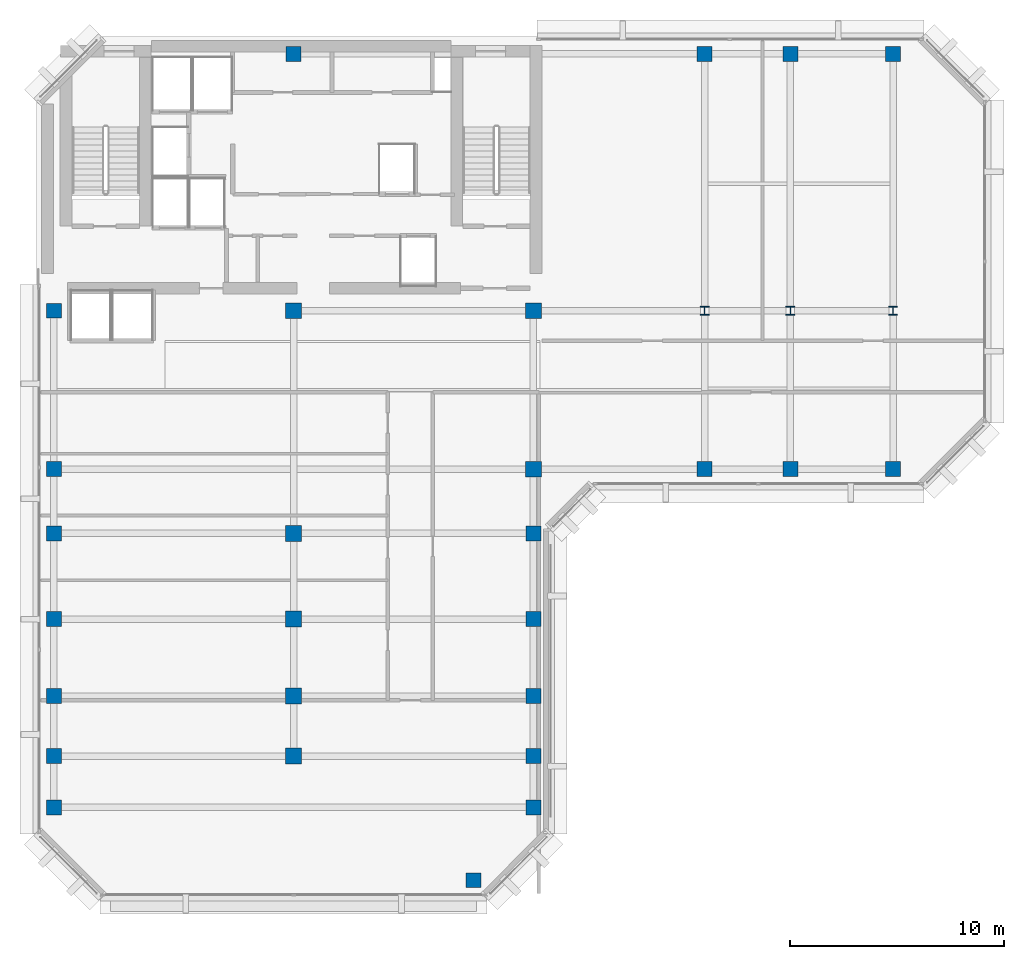
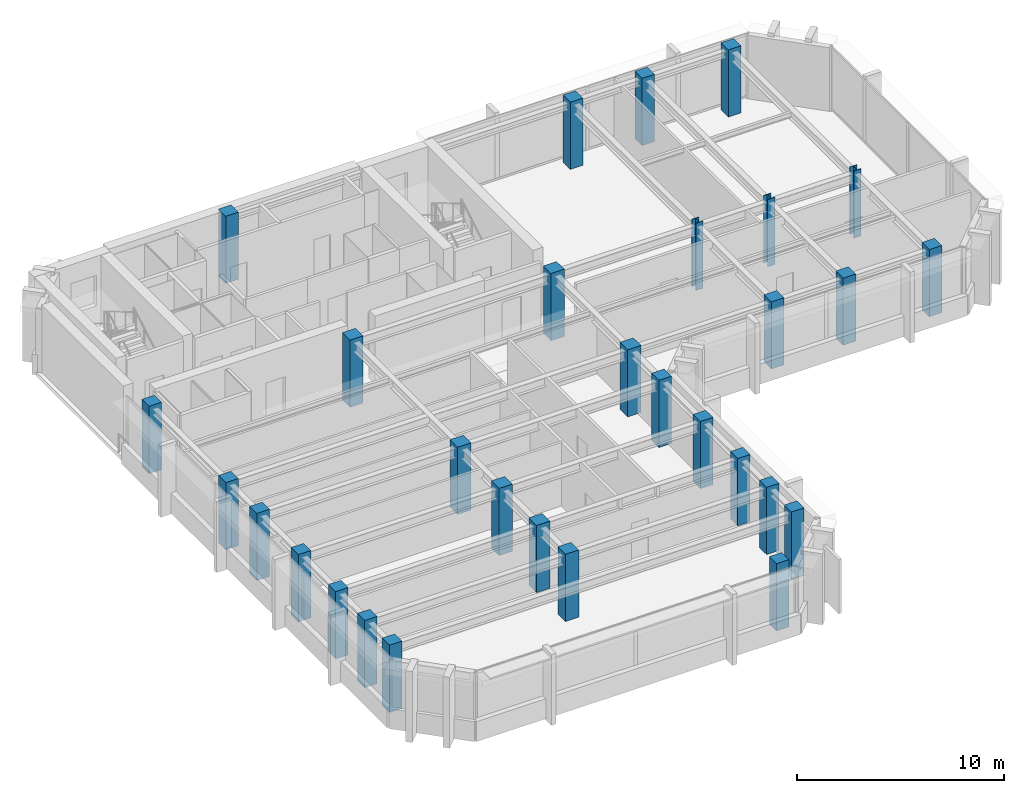
# One storey, part 1 of 11: 30 columns.
"""IFC4 building model written with IfcOpenShell, lengths in metres."""

from ifc_helpers import new_model, si_unit, direction, frame, origin, origin_2d, place, context, subcontext, project, spatial, rectangle, i_section, extrude, material, material_profile, profile_set, type_object, element, save


model = new_model("IFC4")

# Units and contexts
model_context = context("Model", 3, precision=1e-05, world=origin(), true_north=direction((0.0, 1.0)))
body_context = subcontext(model_context, "Body", "Model", "MODEL_VIEW")
ifc_project = project(units=[si_unit("LENGTHUNIT", "METRE"), si_unit("AREAUNIT", "SQUARE_METRE"), si_unit("VOLUMEUNIT", "CUBIC_METRE"), si_unit("PLANEANGLEUNIT", "RADIAN"), si_unit("MASSUNIT", "GRAM", prefix="KILO")], contexts=[model_context])

# Site, building, storey
site_placement = place(None, origin())
site = spatial("IfcSite", under=ifc_project, at=site_placement, CompositionType="ELEMENT")
building_placement = place(site_placement, origin())
building = spatial("IfcBuilding", under=site, at=building_placement, Name="Kefirva Bronze Tower", CompositionType="ELEMENT")
storey_placement = place(building_placement, frame((0.0, 0.0, 276.2099609375)))
storey = spatial("IfcBuildingStorey", under=building, at=storey_placement, Name="L67", CompositionType="ELEMENT", Elevation=276.2099609375)

# Columns
ifc_material_1 = material(Name="Concrete C50/60", Category="concrete")
ifc_material_profile_1 = material_profile(ifc_material_1, rectangle(XDim=0.699951171875, YDim=0.699951171875, at=origin_2d()), Name="RC 700x700")
ifc_profile_set_1 = profile_set([ifc_material_profile_1], Name="Concrete C50/60")
column_type_1 = type_object("IfcColumnType", Name="RC Column 700x700 Ext", PredefinedType="COLUMN", material=ifc_profile_set_1)
for number, where, z_axis, x_axis, name in (
    (1, (0.800048828125, 10.0, 0.0), (0.0, 0.0, 1.0), (1.0, 0.0, 0.0), "L67 Column C008_100"),
    (2, (0.800048828125, 12.39990234375, 0.0), (0.0, 0.0, 1.0), (1.0, 0.0, 0.0), "L67 Column C008_124"),
    (3, (0.800048828125, 15.199951171875, 0.0), (0.0, 0.0, 1.0), (1.0, 0.0, 0.0), "L67 Column C008_152"),
    (4, (0.800048828125, 18.800048828125, 0.0), (0.0, 0.0, 1.0), (1.0, 0.0, 0.0), "L67 Column C008_188"),
    (5, (0.800048828125, 22.800048828125, 0.0), (0.0, 0.0, 1.0), (1.0, 0.0, 0.0), "L67 Column C008_228"),
    (6, (0.800048828125, 25.800048828125, 0.0), (0.0, 0.0, 1.0), (1.0, 0.0, 0.0), "L67 Column C008_258"),
    (7, (0.800048828125, 33.199951171875, 0.0), (0.0, 0.0, 1.0), (1.0, 0.0, 0.0), "L67 Column C008_332"),
    (8, (12.0, 45.199951171875, 0.0), (0.0, 0.0, 1.0), (1.0, 0.0, 0.0), "L67 Column C120_452"),
    (9, (20.39990234375, 6.60009765625, 0.0), (0.0, 0.0, 1.0), (1.0, 0.0, 0.0), "L67 Column C204_066"),
    (10, (23.199951171875, 10.0, 0.0), (0.0, 0.0, 1.0), (1.0, 0.0, 0.0), "L67 Column C232_100"),
    (11, (23.199951171875, 12.39990234375, 0.0), (0.0, 0.0, 1.0), (1.0, 0.0, 0.0), "L67 Column C232_124"),
    (12, (23.199951171875, 15.199951171875, 0.0), (0.0, 0.0, 1.0), (1.0, 0.0, 0.0), "L67 Column C232_152"),
    (13, (23.199951171875, 18.800048828125, 0.0), (0.0, 0.0, 1.0), (1.0, 0.0, 0.0), "L67 Column C232_188"),
    (14, (23.199951171875, 22.800048828125, 0.0), (0.0, 0.0, 1.0), (1.0, 0.0, 0.0), "L67 Column C232_228"),
    (15, (31.199951171875, 25.800048828125, 0.0), (0.0, 0.0, 1.0), (1.0, 0.0, 0.0), "L67 Column C312_258"),
    (16, (31.199951171875, 45.199951171875, 0.0), (0.0, 0.0, 1.0), (1.0, 0.0, 0.0), "L67 Column C312_452"),
    (17, (35.199951171875, 25.800048828125, 0.0), (0.0, 0.0, 1.0), (1.0, 0.0, 0.0), "L67 Column C352_258"),
    (18, (35.199951171875, 45.199951171875, 0.0), (0.0, 0.0, 1.0), (1.0, 0.0, 0.0), "L67 Column C352_452"),
    (19, (40.0, 25.800048828125, 0.0), (0.0, 0.0, 1.0), (1.0, 0.0, 0.0), "L67 Column C400_258"),
    (20, (40.0, 45.199951171875, 0.0), (0.0, 0.0, 1.0), (1.0, 0.0, 0.0), "L67 Column C400_452"),
):
    element("IfcColumn", number, at=place(storey_placement, frame(where, z_axis=z_axis, x_axis=x_axis)), inside=storey, type_object=column_type_1, Name=name, PredefinedType="COLUMN", context=body_context, shape_type="SweptSolid", body=[
        extrude(rectangle(XDim=0.699951171875, YDim=0.699951171875, at=origin_2d()), origin(), (0.0, 0.0, 1.0), 3.9599609375),
    ])
ifc_material_profile_2 = material_profile(ifc_material_1, rectangle(XDim=0.739990234375, YDim=0.739990234375, at=origin_2d()), Name="RC 740x740")
ifc_profile_set_2 = profile_set([ifc_material_profile_2], Name="Concrete C50/60")
column_type_2 = type_object("IfcColumnType", Name="RC Column 740x740 Int", PredefinedType="COLUMN", material=ifc_profile_set_2)
for number, where, z_axis, x_axis, name in (
    (21, (12.0, 12.39990234375, 0.0), (0.0, 0.0, 1.0), (1.0, 0.0, 0.0), "L67 Column C120_124"),
    (22, (12.0, 15.199951171875, 0.0), (0.0, 0.0, 1.0), (1.0, 0.0, 0.0), "L67 Column C120_152"),
    (23, (12.0, 18.800048828125, 0.0), (0.0, 0.0, 1.0), (1.0, 0.0, 0.0), "L67 Column C120_188"),
    (24, (12.0, 22.800048828125, 0.0), (0.0, 0.0, 1.0), (1.0, 0.0, 0.0), "L67 Column C120_228"),
    (25, (12.0, 33.199951171875, 0.0), (0.0, 0.0, 1.0), (1.0, 0.0, 0.0), "L67 Column C120_332"),
    (26, (23.199951171875, 25.800048828125, 0.0), (0.0, 0.0, 1.0), (1.0, 0.0, 0.0), "L67 Column C232_258"),
    (27, (23.199951171875, 33.199951171875, 0.0), (0.0, 0.0, 1.0), (1.0, 0.0, 0.0), "L67 Column C232_332"),
):
    element("IfcColumn", number, at=place(storey_placement, frame(where, z_axis=z_axis, x_axis=x_axis)), inside=storey, type_object=column_type_2, Name=name, PredefinedType="COLUMN", context=body_context, shape_type="SweptSolid", body=[
        extrude(rectangle(XDim=0.739990234375, YDim=0.739990234375, at=origin_2d()), origin(), (0.0, 0.0, 1.0), 3.9599609375),
    ])
ifc_material_2 = material(Name="Steel S460", Category="steel")
ifc_material_profile_3 = material_profile(ifc_material_2, i_section(OverallWidth=0.406005859375, OverallDepth=0.416015625, WebThickness=0.02197265625, FlangeThickness=0.035888671875, at=origin_2d()), Name="HD 400x382")
ifc_profile_set_3 = profile_set([ifc_material_profile_3], Name="Steel S460")
column_type_3 = type_object("IfcColumnType", Name="Steel Column HD 400x382", PredefinedType="COLUMN", material=ifc_profile_set_3)
for number, where, z_axis, x_axis, name in (
    (28, (31.199951171875, 33.199951171875, 0.0), (0.0, 0.0, 1.0), (1.0, 0.0, 0.0), "L67 Column C312_332"),
    (29, (35.199951171875, 33.199951171875, 0.0), (0.0, 0.0, 1.0), (1.0, 0.0, 0.0), "L67 Column C352_332"),
    (30, (40.0, 33.199951171875, 0.0), (0.0, 0.0, 1.0), (1.0, 0.0, 0.0), "L67 Column C400_332"),
):
    element("IfcColumn", number, at=place(storey_placement, frame(where, z_axis=z_axis, x_axis=x_axis)), inside=storey, type_object=column_type_3, Name=name, PredefinedType="COLUMN", context=body_context, shape_type="SweptSolid", body=[
        extrude(i_section(OverallWidth=0.406005859375, OverallDepth=0.416015625, WebThickness=0.02197265625, FlangeThickness=0.035888671875, at=origin_2d()), origin(), (0.0, 0.0, 1.0), 3.9599609375),
    ])

save(model, "model.ifc")
